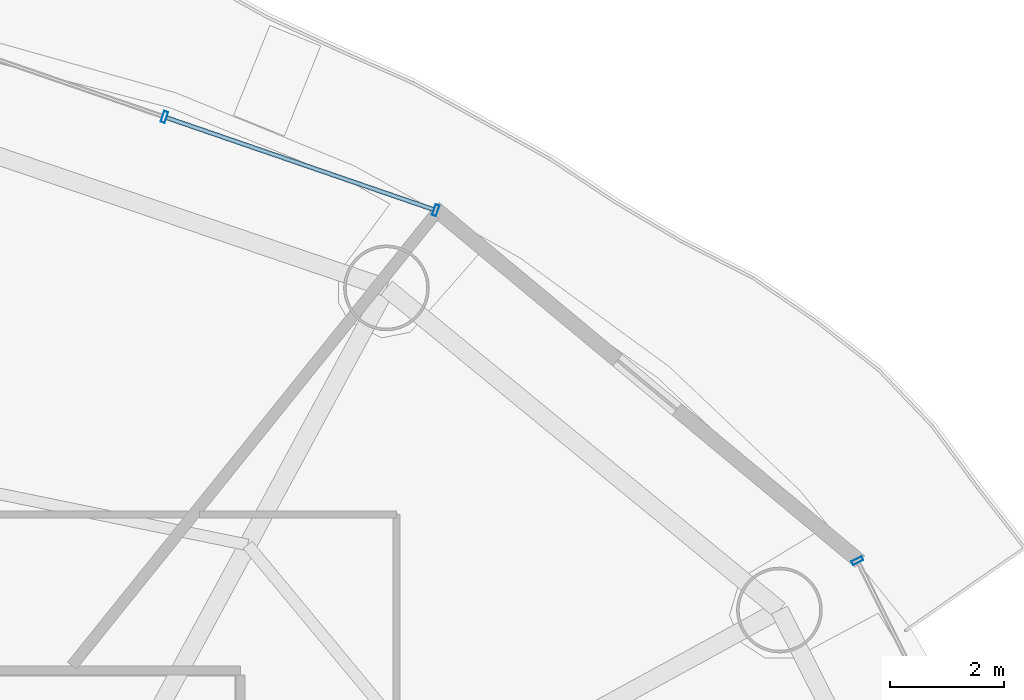
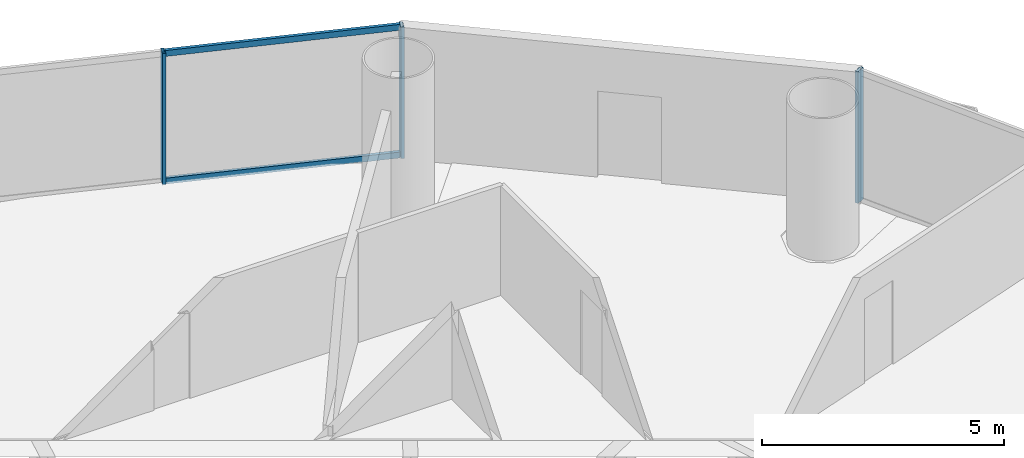
# One storey, part 20 of 29: 5 members, 2 elements without a shape of their own.
"""IFC4 building model written with IfcOpenShell, lengths in metres."""

from ifc_helpers import new_model, si_unit, direction, frame, origin, origin_2d, place, context, subcontext, project, spatial, hollow_rectangle, extrude, source, transform, mapped, material, material_profile, profile_set, type_object, element, aggregate, save


model = new_model("IFC4")

# Units and contexts
model_context = context("Model", 3, precision=1e-05, world=origin(), true_north=direction((-0.2419218956, 0.970295726276)))
body_context = subcontext(model_context, "Body", "Model", "MODEL_VIEW")
ifc_project = project(units=[si_unit("LENGTHUNIT", "METRE"), si_unit("AREAUNIT", "SQUARE_METRE"), si_unit("VOLUMEUNIT", "CUBIC_METRE"), si_unit("PLANEANGLEUNIT", "RADIAN"), si_unit("MASSUNIT", "GRAM", prefix="KILO")], contexts=[model_context])

# Site, building, storey
site_placement = place(None, origin())
site = spatial("IfcSite", under=ifc_project, at=site_placement, CompositionType="ELEMENT")
building_placement = place(site_placement, origin())
building = spatial("IfcBuilding", under=site, at=building_placement, Name="Cobrevalo Terracotta Tower", CompositionType="ELEMENT")
storey_placement = place(building_placement, frame((0.0, 0.0, 119.39990234375)))
storey = spatial("IfcBuildingStorey", under=building, at=storey_placement, Name="L31", CompositionType="ELEMENT", Elevation=119.39990234375)

# Curtain wall, members
ifc_material = material(Name="Anodized aluminium", Category="aluminium")
curtain_wall_type = type_object("IfcCurtainWallType", Name="Lower-tower unitised acoustic low-E curtain wall CW-U1", PredefinedType="NOTDEFINED", material=ifc_material)
curtain_wall_1_placement = place(storey_placement, origin())
curtain_wall_1 = element("IfcCurtainWall", 1, at=curtain_wall_1_placement, inside=storey, type_object=curtain_wall_type, Name="L31 curtain wall CW-L31-S03", PredefinedType="NOTDEFINED")
ifc_material_profile_1 = material_profile(ifc_material, hollow_rectangle(XDim=0.074951171875, YDim=0.14990234375, WallThickness=0.00439453125, at=origin_2d()), Name="CWT 75x150")
ifc_profile_set_1 = profile_set([ifc_material_profile_1], Name="Anodized aluminium")
member_type_1 = type_object("IfcMemberType", Name="Tower unitised aluminium transom 75x150", PredefinedType="USERDEFINED", material=ifc_profile_set_1)
shared_shape_1 = source(origin(), body_context, "Body", "SweptSolid", [
    extrude(hollow_rectangle(XDim=0.074951171875, YDim=0.14990234375, WallThickness=0.00439453125, at=origin_2d()), origin(), (0.0, 0.0, 1.0), 4.944580078125),
])
member_1_placement = place(storey_placement, frame((52.685791015625, 45.176513671875, 0.050048828125), z_axis=(-0.945597859971, 0.32533780478, 0.0), x_axis=(-0.32533780478, -0.945597859971, 0.0)))
member_1 = element("IfcMember", 2, at=member_1_placement, type_object=member_type_1, Name="CW-L31-S03 transom B01-T1", ObjectType="TRANSOM", PredefinedType="USERDEFINED", context=body_context, shape_type="MappedRepresentation", body=[
    mapped(shared_shape_1, transform((0.0, 0.0, 0.0), scale=1.0)),
])
member_2_placement = place(storey_placement, frame((52.685791015625, 45.176513671875, 3.275146484375), z_axis=(-0.945597859971, 0.32533780478, 0.0), x_axis=(-0.32533780478, -0.945597859971, 0.0)))
member_2 = element("IfcMember", 3, at=member_2_placement, type_object=member_type_1, Name="CW-L31-S03 transom B01-T2", ObjectType="TRANSOM", PredefinedType="USERDEFINED", context=body_context, shape_type="MappedRepresentation", body=[
    mapped(shared_shape_1, transform((0.0, 0.0, 0.0), scale=1.0)),
])

# Curtain wall, member
curtain_wall_2_placement = place(storey_placement, origin())
curtain_wall_2 = element("IfcCurtainWall", 4, at=curtain_wall_2_placement, inside=storey, type_object=curtain_wall_type, Name="L31 curtain wall CW-L31-S01", PredefinedType="NOTDEFINED")
ifc_material_profile_2 = material_profile(ifc_material, hollow_rectangle(XDim=0.074951171875, YDim=0.199951171875, WallThickness=0.0048828125, at=origin_2d()), Name="CWM 75x200")
ifc_profile_set_2 = profile_set([ifc_material_profile_2], Name="Anodized aluminium")
member_type_2 = type_object("IfcMemberType", Name="Lower/mid tower unitised mullion 75x200", PredefinedType="MULLION", material=ifc_profile_set_2)
shared_shape_2 = source(origin(), body_context, "Body", "SweptSolid", [
    extrude(hollow_rectangle(XDim=0.074951171875, YDim=0.199951171875, WallThickness=0.0048828125, at=origin_2d()), origin(), (0.0, 0.0, 1.0), 3.3251953125),
])
member_3_placement = place(storey_placement, frame((60.110107421875, 39.025634765625, 0.0), z_axis=(0.0, 0.0, 1.0), x_axis=(-0.446260290227, 0.894903208937, 0.0)))
member_3 = element("IfcMember", 5, at=member_3_placement, type_object=member_type_2, Name="CW-L31-S01 vertical mullion 03", PredefinedType="MULLION", context=body_context, shape_type="MappedRepresentation", body=[
    mapped(shared_shape_2, transform((0.0, 0.0, 0.0), scale=1.0)),
])
aggregate(curtain_wall_2, [member_3])

# Member
member_4_placement = place(storey_placement, frame((52.7236328125, 45.16357421875, 0.0), z_axis=(0.0, 0.0, 1.0), x_axis=(-0.94559809868, 0.325337110968, 0.0)))
member_4 = element("IfcMember", 6, at=member_4_placement, type_object=member_type_2, Name="CW-L31-S03 vertical mullion 01", PredefinedType="MULLION", context=body_context, shape_type="MappedRepresentation", body=[
    mapped(shared_shape_2, transform((0.0, 0.0, 0.0), scale=1.0)),
])

member_5_placement = place(storey_placement, frame((47.972412109375, 46.79833984375, 0.0), z_axis=(0.0, 0.0, 1.0), x_axis=(-0.94559809868, 0.325337110968, 0.0)))
member_5 = element("IfcMember", 7, at=member_5_placement, type_object=member_type_2, Name="CW-L31-S03 vertical mullion 02", PredefinedType="MULLION", context=body_context, shape_type="MappedRepresentation", body=[
    mapped(shared_shape_2, transform((0.0, 0.0, 0.0), scale=1.0)),
])

aggregate(curtain_wall_1, [member_4, member_5, member_1, member_2])

save(model, "model.ifc")
